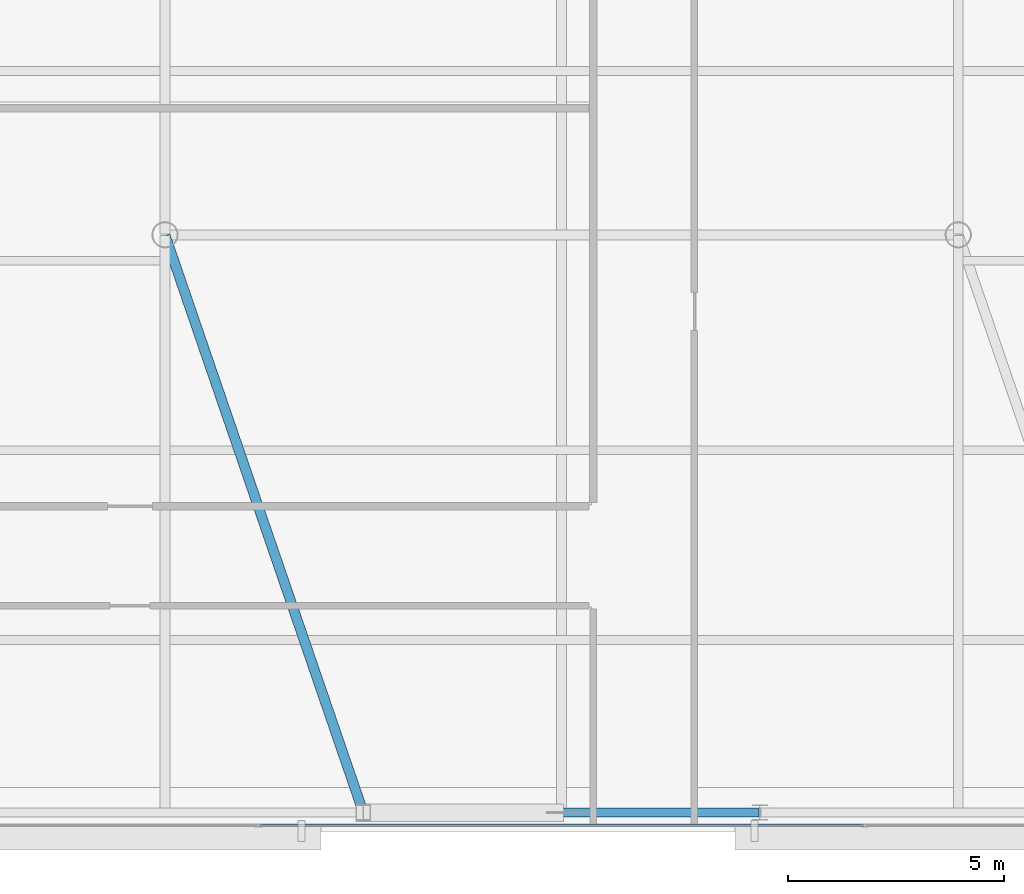
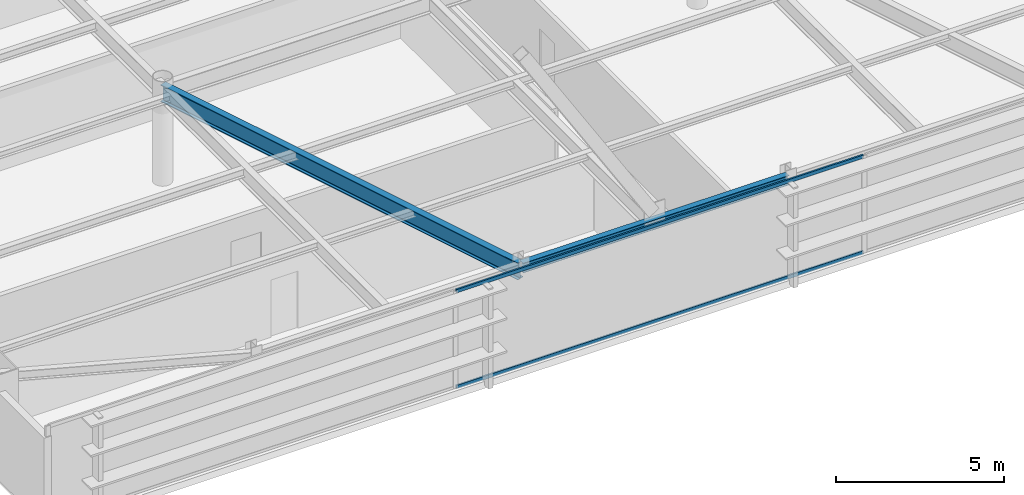
# One storey, part 7 of 27: 2 beams, 2 members, 1 element without a shape of its own.
"""IFC4 building model written with IfcOpenShell, lengths in metres."""

from ifc_helpers import new_model, si_unit, direction, frame, origin, origin_2d, place, context, subcontext, project, spatial, hollow_rectangle, i_section, extrude, source, transform, mapped, material, layer, layer_set, material_profile, profile_set, type_object, type_shapes, element, aggregate, save


model = new_model("IFC4")

# Units and contexts
model_context = context("Model", 3, precision=1e-05, world=origin(), true_north=direction((0.0, 1.0)))
body_context = subcontext(model_context, "Body", "Model", "MODEL_VIEW")
ifc_project = project(units=[si_unit("LENGTHUNIT", "METRE"), si_unit("AREAUNIT", "SQUARE_METRE"), si_unit("VOLUMEUNIT", "CUBIC_METRE"), si_unit("PLANEANGLEUNIT", "RADIAN"), si_unit("MASSUNIT", "GRAM", prefix="KILO")], contexts=[model_context])

# Site, building, storey
site_placement = place(None, origin())
site = spatial("IfcSite", under=ifc_project, at=site_placement, CompositionType="ELEMENT")
building_placement = place(site_placement, origin())
building = spatial("IfcBuilding", under=site, at=building_placement, Name="Varnel Quay Broadcast Tower", CompositionType="ELEMENT")
storey_placement = place(building_placement, frame((0.0, 0.0, 243.199951171875)))
storey = spatial("IfcBuildingStorey", under=building, at=storey_placement, Name="L60", CompositionType="ELEMENT", Elevation=243.199951171875)

# Beams
ifc_material_1 = material(Name="Structural Steel CSA G40.21 350W", Category="steel")
ifc_material_profile_1 = material_profile(ifc_material_1, i_section(OverallWidth=0.205078125, OverallDepth=0.35400390625, WebThickness=0.009521484375, FlangeThickness=0.016845703125, FilletRadius=0.012939453125, at=origin_2d()), Name="W360X79")
ifc_profile_set_1 = profile_set([ifc_material_profile_1], Name="Structural Steel CSA G40.21 350W")
beam_type_1 = type_object("IfcBeamType", Name="Beam_W360X79", PredefinedType="SPANDREL", material=ifc_profile_set_1)
shared_shape_1 = source(origin(), body_context, "Body", "SweptSolid", [
    extrude(i_section(OverallWidth=0.205078125, OverallDepth=0.35400390625, WebThickness=0.009521484375, FlangeThickness=0.016845703125, FilletRadius=0.012939453125, at=origin_2d()), origin(), (0.0, 0.0, 1.0), 9.16015625),
])
type_shapes(beam_type_1, [shared_shape_1])
beam_1_placement = place(storey_placement, frame((29.419921875, 10.64990234375, 3.373046875), z_axis=(1.0, 0.0, 0.0), x_axis=(0.0, 1.0, 0.0)))
element("IfcBeam", 1, at=beam_1_placement, inside=storey, type_object=beam_type_1, Name="L60 South Spandrel TC-S2-TC-S3", PredefinedType="SPANDREL", context=body_context, shape_type="MappedRepresentation", body=[
    mapped(shared_shape_1, transform((0.0, 0.0, 0.0), x_axis=(1.0, 0.0, 0.0), y_axis=(0.0, 1.0, 0.0), z_axis=(0.0, 0.0, 1.0), scale=1.0)),
])
ifc_material_profile_2 = material_profile(ifc_material_1, i_section(OverallWidth=0.22998046875, OverallDepth=0.616943359375, WebThickness=0.01318359375, FlangeThickness=0.022216796875, FilletRadius=0.01611328125, at=origin_2d()), Name="W610X140")
ifc_profile_set_2 = profile_set([ifc_material_profile_2], Name="Structural Steel CSA G40.21 350W")
beam_type_2 = type_object("IfcBeamType", Name="Girder_W610X140", PredefinedType="BEAM", material=ifc_profile_set_2)
shared_shape_2 = source(origin(), body_context, "Body", "SweptSolid", [
    extrude(i_section(OverallWidth=0.22998046875, OverallDepth=0.616943359375, WebThickness=0.01318359375, FlangeThickness=0.022216796875, FilletRadius=0.01611328125, at=origin_2d()), origin(), (0.0, 0.0, 1.0), 14.12744140625),
])
type_shapes(beam_type_2, [shared_shape_2])
beam_2_placement = place(storey_placement, frame((29.3935546875, 10.6689453125, 3.241455078125), z_axis=(-0.324696747868, 0.945818175932, 0.0), x_axis=(-0.945818175932, -0.324696747868, 0.0)))
element("IfcBeam", 2, at=beam_2_placement, inside=storey, type_object=beam_type_2, Name="L60 Primary Girder TC-S2-IC-01", PredefinedType="BEAM", context=body_context, shape_type="MappedRepresentation", body=[
    mapped(shared_shape_2, transform((0.0, 0.0, 0.0), x_axis=(1.0, 0.0, 0.0), y_axis=(0.0, 1.0, 0.0), z_axis=(0.0, 0.0, 1.0), scale=1.0)),
])

# Curtain wall, members
ifc_material_2 = material(Name="Anodised Bronze Aluminium 6063-T6", Category="aluminium")
ifc_layer = layer(ifc_material_2, 0.18994140625, Name="Anodised Bronze Aluminium 6063-T6")
ifc_layer_set = layer_set([ifc_layer], Name="Anodised Bronze Aluminium 6063-T6")
curtain_wall_type = type_object("IfcCurtainWallType", Name="CW_UpperTower", PredefinedType="NOTDEFINED", material=ifc_layer_set)
curtain_wall_placement = place(storey_placement, origin())
curtain_wall = element("IfcCurtainWall", 3, at=curtain_wall_placement, inside=storey, type_object=curtain_wall_type, Name="L60 South Unitised Curtain Wall 1", PredefinedType="NOTDEFINED")
ifc_material_profile_3 = material_profile(ifc_material_2, hollow_rectangle(XDim=0.06005859375, YDim=0.125, WallThickness=0.0029296875, at=origin_2d()), Name="ALU60X125X3")
ifc_profile_set_3 = profile_set([ifc_material_profile_3], Name="Anodised Bronze Aluminium 6063-T6")
member_type = type_object("IfcMemberType", Name="Tran_CWS-03", PredefinedType="USERDEFINED", material=ifc_profile_set_3)
shared_shape_3 = source(origin(), body_context, "Body", "SweptSolid", [
    extrude(hollow_rectangle(XDim=0.06005859375, YDim=0.125, WallThickness=0.0029296875, at=origin_2d()), origin(), (0.0, 0.0, 1.0), 14.00146484375),
])
type_shapes(member_type, [shared_shape_3])
member_1_placement = place(storey_placement, frame((26.999267578125, 10.35009765625, 0.030029296875), z_axis=(1.0, 0.0, 0.0), x_axis=(0.0, 1.0, 0.0)))
member_1 = element("IfcMember", 4, at=member_1_placement, type_object=member_type, Name="CWS-03 transom 2.1", ObjectType="TRANSOM", PredefinedType="USERDEFINED", context=body_context, shape_type="MappedRepresentation", body=[
    mapped(shared_shape_3, transform((0.0, 0.0, 0.0), x_axis=(1.0, 0.0, 0.0), y_axis=(0.0, 1.0, 0.0), z_axis=(0.0, 0.0, 1.0), scale=1.0)),
])
member_2_placement = place(storey_placement, frame((26.999267578125, 10.35009765625, 3.52001953125), z_axis=(1.0, 0.0, 0.0), x_axis=(0.0, 1.0, 0.0)))
member_2 = element("IfcMember", 5, at=member_2_placement, type_object=member_type, Name="CWS-03 transom 2.2", ObjectType="TRANSOM", PredefinedType="USERDEFINED", context=body_context, shape_type="MappedRepresentation", body=[
    mapped(shared_shape_3, transform((0.0, 0.0, 0.0), x_axis=(1.0, 0.0, 0.0), y_axis=(0.0, 1.0, 0.0), z_axis=(0.0, 0.0, 1.0), scale=1.0)),
])
aggregate(curtain_wall, [member_1, member_2])

save(model, "model.ifc")
